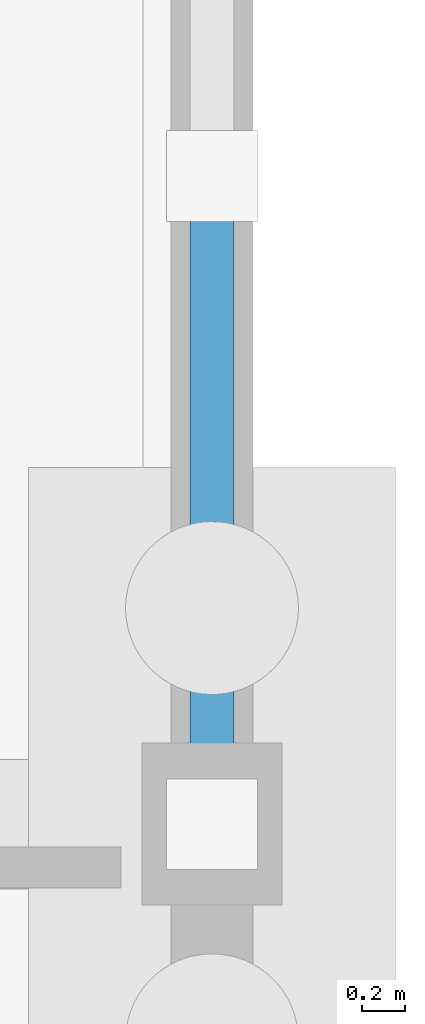
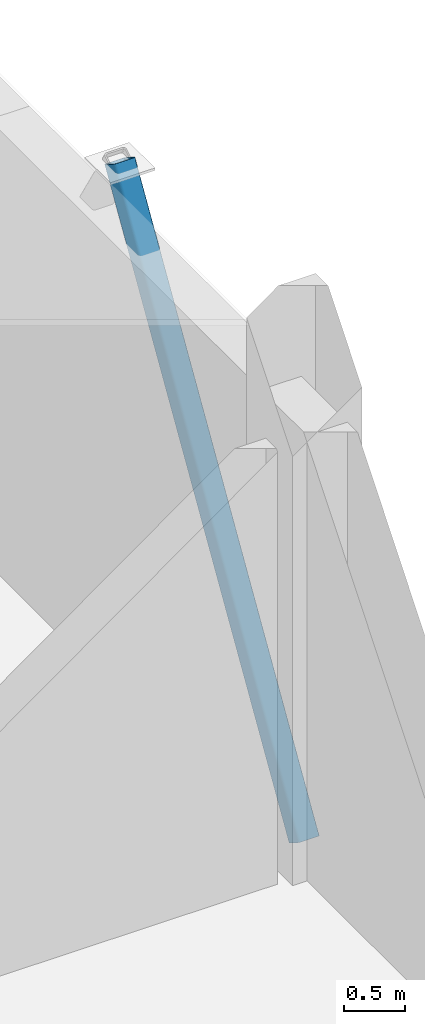
# One storey, part 19 of 69: 1 member.
"""IFC4 building model written with IfcOpenShell, lengths in metres."""

from ifc_helpers import new_model, si_unit, direction, frame, origin, origin_2d, place, context, subcontext, project, spatial, hollow_rectangle, extrude, material, material_profile, profile_set, type_object, element, save


model = new_model("IFC4")

# Units and contexts
model_context = context("Model", 3, precision=1e-05, world=origin(), true_north=direction((0.0, 1.0)))
body_context = subcontext(model_context, "Body", "Model", "MODEL_VIEW")
ifc_project = project(units=[si_unit("LENGTHUNIT", "METRE"), si_unit("AREAUNIT", "SQUARE_METRE"), si_unit("VOLUMEUNIT", "CUBIC_METRE"), si_unit("PLANEANGLEUNIT", "RADIAN"), si_unit("MASSUNIT", "GRAM", prefix="KILO")], contexts=[model_context])

# Site, building, storey
site_placement = place(None, origin())
site = spatial("IfcSite", under=ifc_project, at=site_placement, CompositionType="ELEMENT")
building_placement = place(site_placement, origin())
building = spatial("IfcBuilding", under=site, at=building_placement, Name="Solvane Community Centre", CompositionType="ELEMENT")
storey_placement = place(building_placement, origin())
storey = spatial("IfcBuildingStorey", under=building, at=storey_placement, Name="L00", CompositionType="ELEMENT", Elevation=0.0)

# Member
ifc_material = material(Name="Steel ASTM A572 Grade 50", Category="steel")
ifc_material_profile = material_profile(ifc_material, hollow_rectangle(XDim=0.203125, YDim=0.203125, WallThickness=0.0126953125, InnerFilletRadius=0.0126953125, OuterFilletRadius=0.025390625, at=origin_2d()), Name="HSS 203x203x12.7")
ifc_profile_set = profile_set([ifc_material_profile], Name="Steel ASTM A572 Grade 50")
member_type = type_object("IfcMemberType", Name="Heavy Frame Seismic Brace HSS203", PredefinedType="BRACE", material=ifc_profile_set)
member_placement = place(storey_placement, frame((168.0, 30.0, 0.1201171875), z_axis=(0.0, 0.520613450524, 0.853792501217), x_axis=(-1.0, 0.0, 0.0)))
element("IfcMember", 1, at=member_placement, inside=storey, type_object=member_type, Name="Member MEM-L00-0380", PredefinedType="BRACE", context=body_context, shape_type="SweptSolid", body=[
    extrude(hollow_rectangle(XDim=0.203125, YDim=0.203125, WallThickness=0.0126953125, InnerFilletRadius=0.0126953125, OuterFilletRadius=0.025390625, at=origin_2d()), origin(), (0.0, 0.0, 1.0), 5.762451171875),
])

save(model, "model.ifc")
